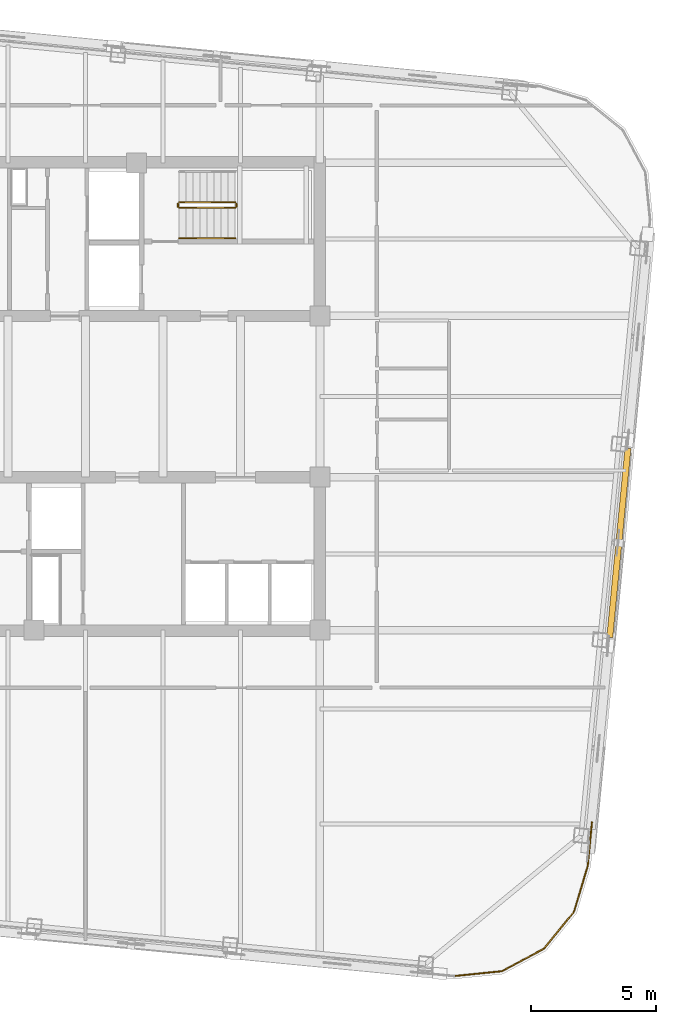
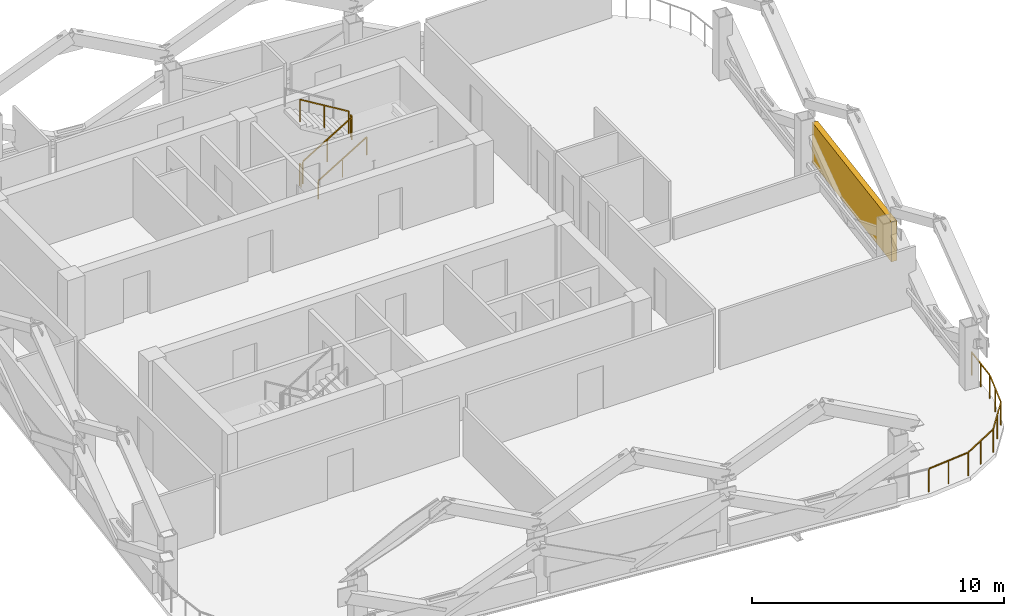
# One storey, part 9 of 10: 6 railings, 1 shading device.
"""IFC4 building model written with IfcOpenShell, lengths in metres."""

from ifc_helpers import new_model, si_unit, direction, frame, origin, origin_2d, place, context, subcontext, project, spatial, rectangle, extrude, material, type_object, element, save


model = new_model("IFC4")

# Units and contexts
model_context = context("Model", 3, precision=1e-05, world=origin(), true_north=direction((0.0, 1.0)))
body_context = subcontext(model_context, "Body", "Model", "MODEL_VIEW")
ifc_project = project(units=[si_unit("LENGTHUNIT", "METRE"), si_unit("AREAUNIT", "SQUARE_METRE"), si_unit("VOLUMEUNIT", "CUBIC_METRE"), si_unit("PLANEANGLEUNIT", "RADIAN"), si_unit("MASSUNIT", "GRAM", prefix="KILO")], contexts=[model_context])

# Site, building, storey
site_placement = place(None, origin())
site = spatial("IfcSite", under=ifc_project, at=site_placement, CompositionType="ELEMENT")
building_placement = place(site_placement, origin())
building = spatial("IfcBuilding", under=site, at=building_placement, Name="Qhalaya Broadcast Tower", CompositionType="ELEMENT")
storey_placement = place(building_placement, frame((0.0, 0.0, 267.25)))
storey = spatial("IfcBuildingStorey", under=building, at=storey_placement, Name="L79", CompositionType="ELEMENT", Elevation=267.25)

# Railings
ifc_material_1 = material(Name="Powder-Coated Galvanised Steel", Category="steel")
railing_type_1 = type_object("IfcRailingType", Name="Stair Wall Handrail 900", PredefinedType="HANDRAIL", material=ifc_material_1)
railing_1_placement = place(storey_placement, frame((3.75, 6.929931640625, 0.16943359375)))
element("IfcRailing", 1, at=railing_1_placement, inside=storey, type_object=railing_type_1, Name="L79 ST-1 Stair Handrail 1", PredefinedType="HANDRAIL", context=body_context, shape_type="SweptSolid", body=[
    extrude(rectangle(XDim=0.048095703125, YDim=0.048095703125, at=origin_2d()), frame((0.0, 0.0, 0.8759765625), z_axis=(0.855553338991, 0.0, 0.51771467445), x_axis=(0.0, 1.0, 0.0)), (0.0, 0.0, 1.0), 2.6181640625),
    extrude(rectangle(XDim=0.0419921875, YDim=0.0419921875, at=origin_2d()), origin(), (0.0, 0.0, 1.0), 0.849853515625),
    extrude(rectangle(XDim=0.0419921875, YDim=0.0419921875, at=origin_2d()), frame((1.1201171875, 0.0, 0.677734375)), (0.0, 0.0, 1.0), 0.849853515625),
    extrude(rectangle(XDim=0.0419921875, YDim=0.0419921875, at=origin_2d()), frame((2.239990234375, 0.0, 1.35546875)), (0.0, 0.0, 1.0), 0.849853515625),
])
railing_type_2 = type_object("IfcRailingType", Name="Stair Well & Landing Guardrail 1100", PredefinedType="GUARDRAIL", material=ifc_material_1)
railing_2_placement = place(storey_placement, frame((3.75, 8.14990234375, 0.16943359375)))
element("IfcRailing", 2, at=railing_2_placement, inside=storey, type_object=railing_type_2, Name="L79 ST-1 Stair Guard 1", PredefinedType="GUARDRAIL", context=body_context, shape_type="SweptSolid", body=[
    extrude(rectangle(XDim=0.048095703125, YDim=0.048095703125, at=origin_2d()), frame((0.0, 0.0, 1.076171875), z_axis=(0.855553338991, 0.0, 0.51771467445), x_axis=(0.0, 1.0, 0.0)), (0.0, 0.0, 1.0), 2.6181640625),
    extrude(rectangle(XDim=0.0419921875, YDim=0.0419921875, at=origin_2d()), origin(), (0.0, 0.0, 1.0), 1.050048828125),
    extrude(rectangle(XDim=0.0419921875, YDim=0.0419921875, at=origin_2d()), frame((1.1201171875, 0.0, 0.677734375)), (0.0, 0.0, 1.0), 1.050048828125),
    extrude(rectangle(XDim=0.0419921875, YDim=0.0419921875, at=origin_2d()), frame((2.239990234375, 0.0, 1.35546875)), (0.0, 0.0, 1.0), 1.050048828125),
])
railing_3_placement = place(storey_placement, frame((6.0400390625, 8.199951171875, 1.52490234375)))
element("IfcRailing", 3, at=railing_3_placement, inside=storey, type_object=railing_type_2, Name="L79 ST-1 Stair Guard 2", PredefinedType="GUARDRAIL", context=body_context, shape_type="SweptSolid", body=[
    extrude(rectangle(XDim=0.048095703125, YDim=0.048095703125, at=origin_2d()), frame((0.0, 0.0, 1.076171875), z_axis=(0.0, 1.0, 0.0), x_axis=(-1.0, 0.0, 0.0)), (0.0, 0.0, 1.0), 0.1201171875),
    extrude(rectangle(XDim=0.0419921875, YDim=0.0419921875, at=origin_2d()), origin(), (0.0, 0.0, 1.0), 1.050048828125),
    extrude(rectangle(XDim=0.0419921875, YDim=0.0419921875, at=origin_2d()), frame((0.0, 0.1201171875, 0.0)), (0.0, 0.0, 1.0), 1.050048828125),
])
railing_4_placement = place(storey_placement, frame((5.989990234375, 8.3701171875, 1.6943359375)))
element("IfcRailing", 4, at=railing_4_placement, inside=storey, type_object=railing_type_2, Name="L79 ST-1 Stair Guard 3", PredefinedType="GUARDRAIL", context=body_context, shape_type="SweptSolid", body=[
    extrude(rectangle(XDim=0.048095703125, YDim=0.048095703125, at=origin_2d()), frame((0.0, 0.0, 1.076171875), z_axis=(-0.855512035549, 0.0, 0.517782924622), x_axis=(0.0, -1.0, 0.0)), (0.0, 0.0, 1.0), 2.618408203125),
    extrude(rectangle(XDim=0.0419921875, YDim=0.0419921875, at=origin_2d()), origin(), (0.0, 0.0, 1.0), 1.050048828125),
    extrude(rectangle(XDim=0.0419921875, YDim=0.0419921875, at=origin_2d()), frame((-1.1201171875, 0.0, 0.677734375)), (0.0, 0.0, 1.0), 1.050048828125),
    extrude(rectangle(XDim=0.0419921875, YDim=0.0419921875, at=origin_2d()), frame((-2.239990234375, 0.0, 1.355712890625)), (0.0, 0.0, 1.0), 1.050048828125),
])
railing_5_placement = place(storey_placement, frame((3.699951171875, 8.199951171875, 0.0)))
element("IfcRailing", 5, at=railing_5_placement, inside=storey, type_object=railing_type_2, Name="L79 ST-1 Stair Guard 4", PredefinedType="GUARDRAIL", context=body_context, shape_type="SweptSolid", body=[
    extrude(rectangle(XDim=0.048095703125, YDim=0.048095703125, at=origin_2d()), frame((0.0, 0.0, 1.076171875), z_axis=(0.0, 1.0, 0.0), x_axis=(-1.0, 0.0, 0.0)), (0.0, 0.0, 1.0), 0.1201171875),
    extrude(rectangle(XDim=0.0419921875, YDim=0.0419921875, at=origin_2d()), origin(), (0.0, 0.0, 1.0), 1.050048828125),
    extrude(rectangle(XDim=0.0419921875, YDim=0.0419921875, at=origin_2d()), frame((0.0, 0.1201171875, 0.0)), (0.0, 0.0, 1.0), 1.050048828125),
])
railing_type_3 = type_object("IfcRailingType", Name="Terrace, Sky-Pool & Lookout Glass Balustrade 1150", PredefinedType="BALUSTRADE", material=ifc_material_1)
railing_6_placement = place(storey_placement, frame((20.260986328125, -16.43408203125, 0.0)))
element("IfcRailing", 6, at=railing_6_placement, inside=storey, type_object=railing_type_3, Name="L79 Rounded Corner Perimeter Guard 05", PredefinedType="BALUSTRADE", context=body_context, shape_type="SweptSolid", body=[
    extrude(rectangle(XDim=0.048095703125, YDim=0.048095703125, at=origin_2d()), frame((0.0, 0.0, 1.1259765625), z_axis=(-0.09578657894, -0.99540189436, 0.0), x_axis=(0.99540189436, -0.09578657894, 0.0)), (0.0, 0.0, 1.0), 1.727294921875),
    extrude(rectangle(XDim=0.048095703125, YDim=0.048095703125, at=origin_2d()), frame((-0.176513671875, -1.775634765625, 1.1259765625), z_axis=(-0.288096282124, -0.957601447485, 0.0), x_axis=(0.957601447485, -0.288096282124, 0.0)), (0.0, 0.0, 1.0), 1.857421875),
    extrude(rectangle(XDim=0.048095703125, YDim=0.048095703125, at=origin_2d()), frame((-0.73828125, -3.6044921875, 1.1259765625), z_axis=(-0.63274871945, -0.774357190213, 0.0), x_axis=(0.774357190213, -0.63274871945, 0.0)), (0.0, 0.0, 1.0), 1.845703125),
    extrude(rectangle(XDim=0.048095703125, YDim=0.048095703125, at=origin_2d()), frame((-1.94970703125, -5.069580078125, 1.1259765625), z_axis=(-0.880932037714, -0.473242797018, 0.0), x_axis=(0.473242797018, -0.880932037714, 0.0)), (0.0, 0.0, 1.0), 1.845458984375),
    extrude(rectangle(XDim=0.048095703125, YDim=0.048095703125, at=origin_2d()), frame((-3.629638671875, -5.95947265625, 1.1259765625), z_axis=(-0.994967529225, -0.100197883148, 0.0), x_axis=(0.100197883148, -0.994967529225, 0.0)), (0.0, 0.0, 1.0), 1.88623046875),
    extrude(rectangle(XDim=0.0419921875, YDim=0.0419921875, at=origin_2d()), origin(), (0.0, 0.0, 1.0), 1.099853515625),
    extrude(rectangle(XDim=0.0419921875, YDim=0.0419921875, at=origin_2d()), frame((-0.083984375, -0.8740234375, 0.0)), (0.0, 0.0, 1.0), 1.099853515625),
    extrude(rectangle(XDim=0.0419921875, YDim=0.0419921875, at=origin_2d()), frame((-0.168212890625, -1.748046875, 0.0)), (0.0, 0.0, 1.0), 1.099853515625),
    extrude(rectangle(XDim=0.0419921875, YDim=0.0419921875, at=origin_2d()), frame((-0.444091796875, -2.6650390625, 0.0)), (0.0, 0.0, 1.0), 1.099853515625),
    extrude(rectangle(XDim=0.0419921875, YDim=0.0419921875, at=origin_2d()), frame((-0.719970703125, -3.58203125, 0.0)), (0.0, 0.0, 1.0), 1.099853515625),
    extrude(rectangle(XDim=0.0419921875, YDim=0.0419921875, at=origin_2d()), frame((-1.322265625, -4.31884765625, 0.0)), (0.0, 0.0, 1.0), 1.099853515625),
    extrude(rectangle(XDim=0.0419921875, YDim=0.0419921875, at=origin_2d()), frame((-1.92431640625, -5.055908203125, 0.0)), (0.0, 0.0, 1.0), 1.099853515625),
    extrude(rectangle(XDim=0.0419921875, YDim=0.0419921875, at=origin_2d()), frame((-2.7626953125, -5.50634765625, 0.0)), (0.0, 0.0, 1.0), 1.099853515625),
    extrude(rectangle(XDim=0.0419921875, YDim=0.0419921875, at=origin_2d()), frame((-3.600830078125, -5.95654296875, 0.0)), (0.0, 0.0, 1.0), 1.099853515625),
    extrude(rectangle(XDim=0.0419921875, YDim=0.0419921875, at=origin_2d()), frame((-4.5537109375, -6.052490234375, 0.0)), (0.0, 0.0, 1.0), 1.099853515625),
    extrude(rectangle(XDim=0.0419921875, YDim=0.0419921875, at=origin_2d()), frame((-5.50634765625, -6.1484375, 0.0)), (0.0, 0.0, 1.0), 1.099853515625),
])

# Shading device
ifc_material_2 = material(Name="Fired Architectural Terracotta", Category="masonry")
shading_device_type = type_object("IfcShadingDeviceType", Name="Terracotta Baguette Solar Screen Assembly TBS-01", PredefinedType="USERDEFINED", material=ifc_material_2)
shading_device_placement = place(storey_placement, frame((21.337646484375, -5.25390625, 0.80078125), z_axis=(0.0, 0.0, 1.0), x_axis=(0.09584575252, 0.995396198367, 0.0)))
element("IfcShadingDevice", 7, at=shading_device_placement, inside=storey, type_object=shading_device_type, Name="L79 Fired Terracotta Baguette Screen E", ObjectType="BAGUETTE", PredefinedType="USERDEFINED", context=body_context, shape_type="SweptSolid", body=[
    extrude(rectangle(XDim=7.60009765625, YDim=0.239990234375, at=origin_2d()), origin(), (0.0, 0.0, 1.0), 1.945068359375),
])

save(model, "model.ifc")
